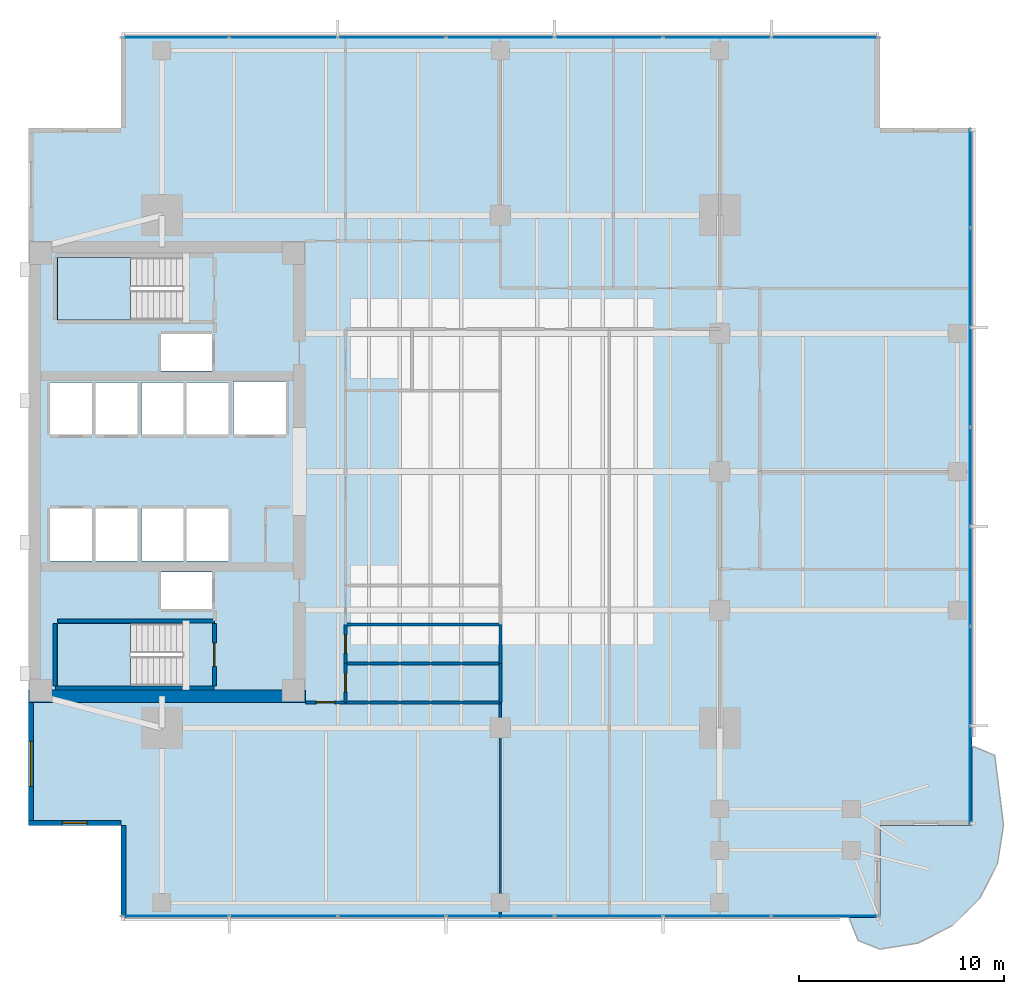
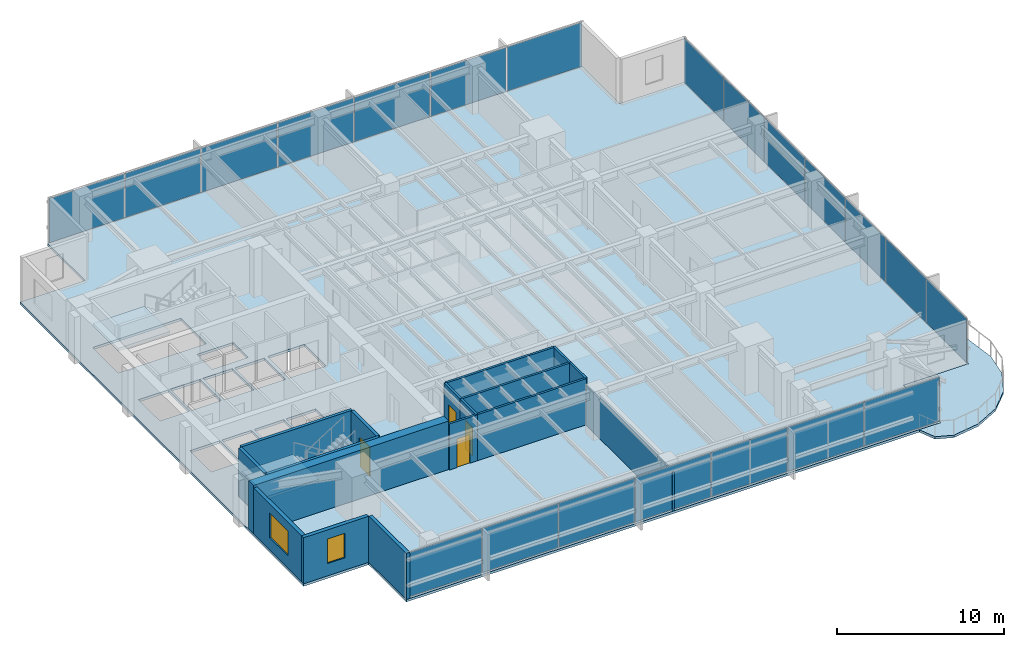
# One storey, part 7 of 14: 21 plates, 17 walls, 4 doors, 4 slabs, 2 windows, 6 openings, 5 elements without a shape of their own.
"""IFC4 building model written with IfcOpenShell, lengths in metres."""

from ifc_helpers import new_model, si_unit, direction, frame, frame_2d, origin, origin_2d, place, context, subcontext, project, spatial, polyline, rectangle, outline, extrude, material, layer, layer_set, type_object, element, fill, aggregate, save


model = new_model("IFC4")

# Units and contexts
model_context = context("Model", 3, precision=1e-05, world=origin(), true_north=direction((0.0, 1.0)))
body_context = subcontext(model_context, "Body", "Model", "MODEL_VIEW")
ifc_project = project(units=[si_unit("LENGTHUNIT", "METRE"), si_unit("AREAUNIT", "SQUARE_METRE"), si_unit("VOLUMEUNIT", "CUBIC_METRE"), si_unit("PLANEANGLEUNIT", "RADIAN"), si_unit("MASSUNIT", "GRAM", prefix="KILO")], contexts=[model_context])

# Site, building, storey
site_placement = place(None, origin())
site = spatial("IfcSite", under=ifc_project, at=site_placement, CompositionType="ELEMENT")
building_placement = place(site_placement, origin())
building = spatial("IfcBuilding", under=site, at=building_placement, Name="Kinhvarn Gate Tower", CompositionType="ELEMENT")
storey_placement = place(building_placement, frame((0.0, 0.0, 123.550048828125)))
storey = spatial("IfcBuildingStorey", under=building, at=storey_placement, Name="L32", CompositionType="ELEMENT", Elevation=123.550048828125)

# Curtain wall, plates
ifc_material_1 = material(Name="Anodised aluminium AW-6063", Category="aluminium")
ifc_layer_1 = layer(ifc_material_1, 0.179931640625)
ifc_layer_set_1 = layer_set([ifc_layer_1], Name="Anodised aluminium AW-6063")
curtain_wall_type = type_object("IfcCurtainWallType", Name="CW-SYS-3", PredefinedType="NOTDEFINED", material=ifc_layer_set_1)
curtain_wall_1_placement = place(storey_placement, origin())
curtain_wall_1 = element("IfcCurtainWall", 1, at=curtain_wall_1_placement, inside=storey, type_object=curtain_wall_type, Name="Curtain Wall CW3 (L32)", PredefinedType="NOTDEFINED")
ifc_material_2 = material(Name="Clear low-e double glazing", Category="glass")
ifc_layer_2 = layer(ifc_material_2, 0.031982421875)
ifc_layer_set_2 = layer_set([ifc_layer_2], Name="Clear low-e double glazing")
plate_type = type_object("IfcPlateType", Name="CW-PNL-VIS", PredefinedType="CURTAIN_PANEL", material=ifc_layer_set_2)
plate_1_placement = place(storey_placement, frame((11.6591796875, 3.590087890625, 0.070068359375), z_axis=(0.0, 0.0, 1.0), x_axis=(1.0, 0.0, 0.0)))
plate_1 = element("IfcPlate", 2, at=plate_1_placement, type_object=plate_type, Name="CW3 panel 1.1", PredefinedType="CURTAIN_PANEL", context=body_context, shape_type="SweptSolid", body=[
    extrude(rectangle(XDim=5.188232421875, YDim=0.031982421875, at=origin_2d()), origin(), (0.0, 0.0, 1.0), 3.22998046875),
])
plate_2_placement = place(storey_placement, frame((16.928466796875, 3.590087890625, 0.070068359375), z_axis=(0.0, 0.0, 1.0), x_axis=(1.0, 0.0, 0.0)))
plate_2 = element("IfcPlate", 3, at=plate_2_placement, type_object=plate_type, Name="CW3 panel 2.1", PredefinedType="CURTAIN_PANEL", context=body_context, shape_type="SweptSolid", body=[
    extrude(rectangle(XDim=5.220703125, YDim=0.031982421875, at=origin_2d()), origin(), (0.0, 0.0, 1.0), 3.22998046875),
])
plate_3_placement = place(storey_placement, frame((22.21435546875, 3.590087890625, 0.070068359375), z_axis=(0.0, 0.0, 1.0), x_axis=(1.0, 0.0, 0.0)))
plate_3 = element("IfcPlate", 4, at=plate_3_placement, type_object=plate_type, Name="CW3 panel 3.1", PredefinedType="CURTAIN_PANEL", context=body_context, shape_type="SweptSolid", body=[
    extrude(rectangle(XDim=5.220703125, YDim=0.031982421875, at=origin_2d()), origin(), (0.0, 0.0, 1.0), 3.22998046875),
])
plate_4_placement = place(storey_placement, frame((27.5, 3.590087890625, 0.070068359375), z_axis=(0.0, 0.0, 1.0), x_axis=(1.0, 0.0, 0.0)))
plate_4 = element("IfcPlate", 5, at=plate_4_placement, type_object=plate_type, Name="CW3 panel 4.1", PredefinedType="CURTAIN_PANEL", context=body_context, shape_type="SweptSolid", body=[
    extrude(rectangle(XDim=5.220703125, YDim=0.031982421875, at=origin_2d()), origin(), (0.0, 0.0, 1.0), 3.22998046875),
])
plate_5_placement = place(storey_placement, frame((32.78564453125, 3.590087890625, 0.070068359375), z_axis=(0.0, 0.0, 1.0), x_axis=(1.0, 0.0, 0.0)))
plate_5 = element("IfcPlate", 6, at=plate_5_placement, type_object=plate_type, Name="CW3 panel 5.1", PredefinedType="CURTAIN_PANEL", context=body_context, shape_type="SweptSolid", body=[
    extrude(rectangle(XDim=5.220703125, YDim=0.031982421875, at=origin_2d()), origin(), (0.0, 0.0, 1.0), 3.22998046875),
])
plate_6_placement = place(storey_placement, frame((38.071533203125, 3.590087890625, 0.070068359375), z_axis=(0.0, 0.0, 1.0), x_axis=(1.0, 0.0, 0.0)))
plate_6 = element("IfcPlate", 7, at=plate_6_placement, type_object=plate_type, Name="CW3 panel 6.1", PredefinedType="CURTAIN_PANEL", context=body_context, shape_type="SweptSolid", body=[
    extrude(rectangle(XDim=5.220703125, YDim=0.031982421875, at=origin_2d()), origin(), (0.0, 0.0, 1.0), 3.22998046875),
])
plate_7_placement = place(storey_placement, frame((43.3408203125, 3.590087890625, 0.070068359375), z_axis=(0.0, 0.0, 1.0), x_axis=(1.0, 0.0, 0.0)))
plate_7 = element("IfcPlate", 8, at=plate_7_placement, type_object=plate_type, Name="CW3 panel 7.1", PredefinedType="CURTAIN_PANEL", context=body_context, shape_type="SweptSolid", body=[
    extrude(rectangle(XDim=5.188232421875, YDim=0.031982421875, at=origin_2d()), origin(), (0.0, 0.0, 1.0), 3.22998046875),
])
aggregate(curtain_wall_1, [plate_1, plate_2, plate_3, plate_4, plate_5, plate_6, plate_7])

curtain_wall_2_placement = place(storey_placement, origin())
curtain_wall_2 = element("IfcCurtainWall", 9, at=curtain_wall_2_placement, inside=storey, type_object=curtain_wall_type, Name="Curtain Wall CW3 (L32)", PredefinedType="NOTDEFINED")
plate_8_placement = place(storey_placement, frame((43.3408203125, 46.409912109375, 0.070068359375), z_axis=(0.0, 0.0, 1.0), x_axis=(-1.0, 0.0, 0.0)))
plate_8 = element("IfcPlate", 10, at=plate_8_placement, type_object=plate_type, Name="CW3 panel 1.1", PredefinedType="CURTAIN_PANEL", context=body_context, shape_type="SweptSolid", body=[
    extrude(rectangle(XDim=5.188232421875, YDim=0.031982421875, at=origin_2d()), origin(), (0.0, 0.0, 1.0), 3.22998046875),
])
plate_9_placement = place(storey_placement, frame((38.071533203125, 46.409912109375, 0.070068359375), z_axis=(0.0, 0.0, 1.0), x_axis=(-1.0, 0.0, 0.0)))
plate_9 = element("IfcPlate", 11, at=plate_9_placement, type_object=plate_type, Name="CW3 panel 2.1", PredefinedType="CURTAIN_PANEL", context=body_context, shape_type="SweptSolid", body=[
    extrude(rectangle(XDim=5.220703125, YDim=0.031982421875, at=origin_2d()), origin(), (0.0, 0.0, 1.0), 3.22998046875),
])
plate_10_placement = place(storey_placement, frame((32.78564453125, 46.409912109375, 0.070068359375), z_axis=(0.0, 0.0, 1.0), x_axis=(-1.0, 0.0, 0.0)))
plate_10 = element("IfcPlate", 12, at=plate_10_placement, type_object=plate_type, Name="CW3 panel 3.1", PredefinedType="CURTAIN_PANEL", context=body_context, shape_type="SweptSolid", body=[
    extrude(rectangle(XDim=5.220703125, YDim=0.031982421875, at=origin_2d()), origin(), (0.0, 0.0, 1.0), 3.22998046875),
])
plate_11_placement = place(storey_placement, frame((27.5, 46.409912109375, 0.070068359375), z_axis=(0.0, 0.0, 1.0), x_axis=(-1.0, 0.0, 0.0)))
plate_11 = element("IfcPlate", 13, at=plate_11_placement, type_object=plate_type, Name="CW3 panel 4.1", PredefinedType="CURTAIN_PANEL", context=body_context, shape_type="SweptSolid", body=[
    extrude(rectangle(XDim=5.220703125, YDim=0.031982421875, at=origin_2d()), origin(), (0.0, 0.0, 1.0), 3.22998046875),
])
plate_12_placement = place(storey_placement, frame((22.21435546875, 46.409912109375, 0.070068359375), z_axis=(0.0, 0.0, 1.0), x_axis=(-1.0, 0.0, 0.0)))
plate_12 = element("IfcPlate", 14, at=plate_12_placement, type_object=plate_type, Name="CW3 panel 5.1", PredefinedType="CURTAIN_PANEL", context=body_context, shape_type="SweptSolid", body=[
    extrude(rectangle(XDim=5.220703125, YDim=0.031982421875, at=origin_2d()), origin(), (0.0, 0.0, 1.0), 3.22998046875),
])
plate_13_placement = place(storey_placement, frame((16.928466796875, 46.409912109375, 0.070068359375), z_axis=(0.0, 0.0, 1.0), x_axis=(-1.0, 0.0, 0.0)))
plate_13 = element("IfcPlate", 15, at=plate_13_placement, type_object=plate_type, Name="CW3 panel 6.1", PredefinedType="CURTAIN_PANEL", context=body_context, shape_type="SweptSolid", body=[
    extrude(rectangle(XDim=5.220703125, YDim=0.031982421875, at=origin_2d()), origin(), (0.0, 0.0, 1.0), 3.22998046875),
])
plate_14_placement = place(storey_placement, frame((11.6591796875, 46.409912109375, 0.070068359375), z_axis=(0.0, 0.0, 1.0), x_axis=(-1.0, 0.0, 0.0)))
plate_14 = element("IfcPlate", 16, at=plate_14_placement, type_object=plate_type, Name="CW3 panel 7.1", PredefinedType="CURTAIN_PANEL", context=body_context, shape_type="SweptSolid", body=[
    extrude(rectangle(XDim=5.188232421875, YDim=0.031982421875, at=origin_2d()), origin(), (0.0, 0.0, 1.0), 3.22998046875),
])
aggregate(curtain_wall_2, [plate_8, plate_9, plate_10, plate_11, plate_12, plate_13, plate_14])

curtain_wall_3_placement = place(storey_placement, origin())
curtain_wall_3 = element("IfcCurtainWall", 17, at=curtain_wall_3_placement, inside=storey, type_object=curtain_wall_type, Name="Curtain Wall CW3 (L32)", PredefinedType="NOTDEFINED")
plate_15_placement = place(storey_placement, frame((50.409912109375, 10.44482421875, 0.070068359375), z_axis=(0.0, 0.0, 1.0), x_axis=(0.0, 1.0, 0.0)))
plate_15 = element("IfcPlate", 18, at=plate_15_placement, type_object=plate_type, Name="CW3 panel 1.1", PredefinedType="CURTAIN_PANEL", context=body_context, shape_type="SweptSolid", body=[
    extrude(rectangle(XDim=4.759521484375, YDim=0.031982421875, at=origin_2d()), origin(), (0.0, 0.0, 1.0), 3.22998046875),
])
plate_16_placement = place(storey_placement, frame((50.409912109375, 15.28564453125, 0.070068359375), z_axis=(0.0, 0.0, 1.0), x_axis=(0.0, 1.0, 0.0)))
plate_16 = element("IfcPlate", 19, at=plate_16_placement, type_object=plate_type, Name="CW3 panel 2.1", PredefinedType="CURTAIN_PANEL", context=body_context, shape_type="SweptSolid", body=[
    extrude(rectangle(XDim=4.792236328125, YDim=0.031982421875, at=origin_2d()), origin(), (0.0, 0.0, 1.0), 3.22998046875),
])
plate_17_placement = place(storey_placement, frame((50.409912109375, 20.142822265625, 0.070068359375), z_axis=(0.0, 0.0, 1.0), x_axis=(0.0, 1.0, 0.0)))
plate_17 = element("IfcPlate", 20, at=plate_17_placement, type_object=plate_type, Name="CW3 panel 3.1", PredefinedType="CURTAIN_PANEL", context=body_context, shape_type="SweptSolid", body=[
    extrude(rectangle(XDim=4.792236328125, YDim=0.031982421875, at=origin_2d()), origin(), (0.0, 0.0, 1.0), 3.22998046875),
])
plate_18_placement = place(storey_placement, frame((50.409912109375, 25.0, 0.070068359375), z_axis=(0.0, 0.0, 1.0), x_axis=(0.0, 1.0, 0.0)))
plate_18 = element("IfcPlate", 21, at=plate_18_placement, type_object=plate_type, Name="CW3 panel 4.1", PredefinedType="CURTAIN_PANEL", context=body_context, shape_type="SweptSolid", body=[
    extrude(rectangle(XDim=4.792236328125, YDim=0.031982421875, at=origin_2d()), origin(), (0.0, 0.0, 1.0), 3.22998046875),
])
plate_19_placement = place(storey_placement, frame((50.409912109375, 29.857177734375, 0.070068359375), z_axis=(0.0, 0.0, 1.0), x_axis=(0.0, 1.0, 0.0)))
plate_19 = element("IfcPlate", 22, at=plate_19_placement, type_object=plate_type, Name="CW3 panel 5.1", PredefinedType="CURTAIN_PANEL", context=body_context, shape_type="SweptSolid", body=[
    extrude(rectangle(XDim=4.792236328125, YDim=0.031982421875, at=origin_2d()), origin(), (0.0, 0.0, 1.0), 3.22998046875),
])
plate_20_placement = place(storey_placement, frame((50.409912109375, 34.71435546875, 0.070068359375), z_axis=(0.0, 0.0, 1.0), x_axis=(0.0, 1.0, 0.0)))
plate_20 = element("IfcPlate", 23, at=plate_20_placement, type_object=plate_type, Name="CW3 panel 6.1", PredefinedType="CURTAIN_PANEL", context=body_context, shape_type="SweptSolid", body=[
    extrude(rectangle(XDim=4.792236328125, YDim=0.031982421875, at=origin_2d()), origin(), (0.0, 0.0, 1.0), 3.22998046875),
])
plate_21_placement = place(storey_placement, frame((50.409912109375, 39.55517578125, 0.070068359375), z_axis=(0.0, 0.0, 1.0), x_axis=(0.0, 1.0, 0.0)))
plate_21 = element("IfcPlate", 24, at=plate_21_placement, type_object=plate_type, Name="CW3 panel 7.1", PredefinedType="CURTAIN_PANEL", context=body_context, shape_type="SweptSolid", body=[
    extrude(rectangle(XDim=4.759521484375, YDim=0.031982421875, at=origin_2d()), origin(), (0.0, 0.0, 1.0), 3.22998046875),
])
aggregate(curtain_wall_3, [plate_15, plate_16, plate_17, plate_18, plate_19, plate_20, plate_21])

# Slabs
ifc_material_3 = material(Name="Precast white architectural concrete C40/50", Category="concrete")
ifc_layer_3 = layer(ifc_material_3, 0.179931640625)
ifc_layer_set_3 = layer_set([ifc_layer_3], Name="Precast white architectural concrete C40/50")
slab_type_1 = type_object("IfcSlabType", Name="SLB-BAL-180", PredefinedType="FLOOR", material=ifc_layer_set_3)
slab_1_placement = place(storey_placement, frame((0.0, 0.0, -0.179931640625)))
element("IfcSlab", 25, at=slab_1_placement, inside=storey, type_object=slab_type_1, Name="S-Carve Curved Terrace Balcony Slab L32 (SE)", PredefinedType="FLOOR", context=body_context, shape_type="SweptSolid", body=[
    extrude(outline(polyline([(44.4951171875, 3.5), (44.945068359375, 2.3955078125), (46.0, 1.966064453125), (47.864501953125, 2.26123046875), (49.546630859375, 3.118408203125), (50.881591796875, 4.453369140625), (51.73876953125, 6.135498046875), (52.033935546875, 8.0), (51.6044921875, 11.419921875), (50.5, 11.8701171875), (50.5, 8.0), (46.0, 8.0), (46.0, 3.5), (44.4951171875, 3.5)])), origin(), (0.0, 0.0, 1.0), 0.179931640625),
])
ifc_material_4 = material(Name="Concrete C40/50", Category="concrete")
ifc_layer_4 = layer(ifc_material_4, 0.179931640625)
ifc_layer_set_4 = layer_set([ifc_layer_4], Name="Concrete C40/50")
slab_type_2 = type_object("IfcSlabType", Name="SLB-FLR-180", PredefinedType="FLOOR", material=ifc_layer_set_4)
slab_2_placement = place(storey_placement, frame((0.0, 0.0, -0.179931640625)))
element("IfcSlab", 26, at=slab_2_placement, inside=storey, type_object=slab_type_2, Name="Suspended Floor Slab L32", PredefinedType="FLOOR", context=body_context, shape_type="SweptSolid", body=[
    extrude(outline(polyline([(9.0, 3.5), (46.0, 3.5), (46.0, 8.0), (50.5, 8.0), (50.5, 42.0), (46.0, 42.0), (46.0, 46.5), (9.0, 46.5), (9.0, 42.0), (4.5, 42.0), (4.5, 8.0), (9.0, 8.0), (9.0, 3.5)]), holes=[polyline([(5.89990234375, 14.800048828125), (12.0, 14.800048828125), (12.0, 17.85009765625), (5.89990234375, 17.85009765625), (5.89990234375, 14.800048828125)]), polyline([(5.89990234375, 32.64990234375), (12.0, 32.64990234375), (12.0, 35.699951171875), (5.89990234375, 35.699951171875), (5.89990234375, 32.64990234375)]), polyline([(5.550048828125, 20.89990234375), (7.60009765625, 20.89990234375), (7.60009765625, 23.449951171875), (5.550048828125, 23.449951171875), (5.550048828125, 20.89990234375)]), polyline([(7.75, 20.89990234375), (9.800048828125, 20.89990234375), (9.800048828125, 23.449951171875), (7.75, 23.449951171875), (7.75, 20.89990234375)]), polyline([(5.550048828125, 27.050048828125), (7.60009765625, 27.050048828125), (7.60009765625, 29.60009765625), (5.550048828125, 29.60009765625), (5.550048828125, 27.050048828125)]), polyline([(7.75, 27.050048828125), (9.800048828125, 27.050048828125), (9.800048828125, 29.60009765625), (7.75, 29.60009765625), (7.75, 27.050048828125)]), polyline([(10.0, 20.89990234375), (12.050048828125, 20.89990234375), (12.050048828125, 23.449951171875), (10.0, 23.449951171875), (10.0, 20.89990234375)]), polyline([(12.199951171875, 20.89990234375), (14.25, 20.89990234375), (14.25, 23.449951171875), (12.199951171875, 23.449951171875), (12.199951171875, 20.89990234375)]), polyline([(10.0, 27.050048828125), (12.050048828125, 27.050048828125), (12.050048828125, 29.60009765625), (10.0, 29.60009765625), (10.0, 27.050048828125)]), polyline([(12.199951171875, 27.050048828125), (14.25, 27.050048828125), (14.25, 29.60009765625), (12.199951171875, 29.60009765625), (12.199951171875, 27.050048828125)]), polyline([(14.5, 27.050048828125), (17.050048828125, 27.050048828125), (17.050048828125, 29.64990234375), (14.5, 29.64990234375), (14.5, 27.050048828125)]), polyline([(10.949951171875, 18.550048828125), (13.449951171875, 18.550048828125), (13.449951171875, 20.35009765625), (10.949951171875, 20.35009765625), (10.949951171875, 18.550048828125)]), polyline([(10.949951171875, 30.14990234375), (13.449951171875, 30.14990234375), (13.449951171875, 31.949951171875), (10.949951171875, 31.949951171875), (10.949951171875, 30.14990234375)])]), origin(), (0.0, 0.0, 1.0), 0.179931640625),
])

# Stair, slab
stair_type = type_object("IfcStairType", Name="STR-DLG-177", PredefinedType="HALF_TURN_STAIR", material=ifc_material_4)
stair_1_placement = place(storey_placement, origin())
stair_1 = element("IfcStair", 27, at=stair_1_placement, inside=storey, type_object=stair_type, Name="L32 Core Smokeproof Exit Stair ST1", PredefinedType="HALF_TURN_STAIR")
ifc_layer_5 = layer(ifc_material_4, 0.199951171875)
ifc_layer_set_5 = layer_set([ifc_layer_5], Name="Concrete C40/50")
slab_type_3 = type_object("IfcSlabType", Name="SLB-ST-LND", PredefinedType="LANDING", material=ifc_layer_set_5)
slab_3_placement = place(storey_placement, frame((0.0, 0.0, 1.574951171875)))
slab_3 = element("IfcSlab", 28, at=slab_3_placement, type_object=slab_type_3, Name="ST1 landing 1", PredefinedType="LANDING", context=body_context, shape_type="SweptSolid", body=[
    extrude(outline(polyline([(9.47998046875, 17.85009765625), (5.89990234375, 17.85009765625), (5.89990234375, 14.800048828125), (9.47998046875, 14.800048828125), (9.47998046875, 17.85009765625)])), origin(), (0.0, 0.0, 1.0), 0.199951171875),
])
aggregate(stair_1, [slab_3])

stair_2_placement = place(storey_placement, origin())
stair_2 = element("IfcStair", 29, at=stair_2_placement, inside=storey, type_object=stair_type, Name="L32 Core Smokeproof Exit Stair ST2", PredefinedType="HALF_TURN_STAIR")
slab_4_placement = place(storey_placement, frame((0.0, 0.0, 1.574951171875)))
slab_4 = element("IfcSlab", 30, at=slab_4_placement, type_object=slab_type_3, Name="ST2 landing 1", PredefinedType="LANDING", context=body_context, shape_type="SweptSolid", body=[
    extrude(outline(polyline([(9.47998046875, 35.699951171875), (5.89990234375, 35.699951171875), (5.89990234375, 32.64990234375), (9.47998046875, 32.64990234375), (9.47998046875, 35.699951171875)])), origin(), (0.0, 0.0, 1.0), 0.199951171875),
])
aggregate(stair_2, [slab_4])

# Wall
ifc_material_5 = material(Name="Concrete C60/75", Category="concrete")
ifc_layer_6 = layer(ifc_material_5, 0.60009765625)
ifc_layer_set_6 = layer_set([ifc_layer_6], Name="Concrete C60/75")
wall_type_1 = type_object("IfcWallType", Name="WL-CORE-600", PredefinedType="SHEAR", material=ifc_layer_set_6)
wall_1_placement = place(storey_placement, frame((4.5, 14.300048828125, 0.0), z_axis=(0.0, 0.0, 1.0), x_axis=(1.0, 0.0, 0.0)))
element("IfcWall", 31, at=wall_1_placement, inside=storey, type_object=wall_type_1, Name="Core South Shear Wall L32 600 mm", PredefinedType="SHEAR", context=body_context, shape_type="SweptSolid", body=[
    extrude(rectangle(XDim=13.5, YDim=0.60009765625, at=frame_2d((6.75, 0.0))), origin(), (0.0, 0.0, 1.0), 3.550048828125),
])

# Wall, opening, window
ifc_material_6 = material(Name="Fired architectural terracotta", Category="masonry")
ifc_layer_7 = layer(ifc_material_6, 0.25)
ifc_layer_set_7 = layer_set([ifc_layer_7], Name="Fired architectural terracotta")
wall_type_2 = type_object("IfcWallType", Name="WL-EXT-250", PredefinedType="SOLIDWALL", material=ifc_layer_set_7)
wall_2_placement = place(storey_placement, frame((4.625, 14.0, 0.0), z_axis=(0.0, 0.0, 1.0), x_axis=(0.0, -1.0, 0.0)))
wall_2 = element("IfcWall", 32, at=wall_2_placement, inside=storey, type_object=wall_type_2, Name="Exterior Solidwall Wall EW-250 (L32 West-South)", PredefinedType="SOLIDWALL", context=body_context, shape_type="SweptSolid", body=[
    extrude(rectangle(XDim=6.0, YDim=0.25, at=frame_2d((3.0, 0.0))), origin(), (0.0, 0.0, 1.0), 3.369873046875),
])
opening_1_placement = place(wall_2_placement, frame((1.89990234375, 0.0, 0.89990234375)))
opening_1 = element("IfcOpeningElement", 33, at=opening_1_placement, cuts=wall_2, Name="Opening WN-01", PredefinedType="OPENING", context=body_context, shape_type="SweptSolid", body=[
    extrude(rectangle(XDim=2.199951171875, YDim=1.800048828125, at=frame_2d((1.10009765625, 0.89990234375))), frame((0.0, 0.135009765625, 0.0), z_axis=(0.0, -1.0, 0.0), x_axis=(1.0, 0.0, 0.0)), (0.0, 0.0, 1.0), 0.27001953125),
])
window_type_1 = type_object("IfcWindowType", Name="WIN-RIB-2200", PartitioningType="SINGLE_PANEL", PredefinedType="WINDOW", material=ifc_material_2)
window_1_placement = place(opening_1_placement, origin())
window_1 = element("IfcWindow", 34, at=window_1_placement, inside=storey, type_object=window_type_1, Name="West Flank Double-Glazed Ribbon Window 2200x1800 mm (L32)", OverallHeight=1.800048828125, OverallWidth=2.199951171875, PartitioningType="SINGLE_PANEL", PredefinedType="WINDOW", context=body_context, shape_type="SweptSolid", body=[
    extrude(rectangle(XDim=2.199951171875, YDim=1.800048828125, at=frame_2d((1.10009765625, 0.89990234375))), frame((0.0, 0.030029296875, 0.0), z_axis=(0.0, -1.0, 0.0), x_axis=(1.0, 0.0, 0.0)), (0.0, 0.0, 1.0), 0.06005859375),
])
fill(opening_1, window_1)

wall_3_placement = place(storey_placement, frame((4.5, 8.125, 0.0), z_axis=(0.0, 0.0, 1.0), x_axis=(1.0, 0.0, 0.0)))
wall_3 = element("IfcWall", 35, at=wall_3_placement, inside=storey, type_object=wall_type_2, Name="Exterior Solidwall Wall EW-250 (L32 SW-Notch-1)", PredefinedType="SOLIDWALL", context=body_context, shape_type="SweptSolid", body=[
    extrude(rectangle(XDim=4.5, YDim=0.25, at=frame_2d((2.25, 0.0))), origin(), (0.0, 0.0, 1.0), 3.369873046875),
])
opening_2_placement = place(wall_3_placement, frame((1.64990234375, 0.0, 0.89990234375)))
opening_2 = element("IfcOpeningElement", 36, at=opening_2_placement, cuts=wall_3, Name="Opening WN-02", PredefinedType="OPENING", context=body_context, shape_type="SweptSolid", body=[
    extrude(rectangle(XDim=1.199951171875, YDim=1.800048828125, at=frame_2d((0.60009765625, 0.89990234375))), frame((0.0, 0.135009765625, 0.0), z_axis=(0.0, -1.0, 0.0), x_axis=(1.0, 0.0, 0.0)), (0.0, 0.0, 1.0), 0.27001953125),
])
window_type_2 = type_object("IfcWindowType", Name="WIN-NTC-1200", PartitioningType="SINGLE_PANEL", PredefinedType="WINDOW", material=ifc_material_2)
window_2_placement = place(opening_2_placement, origin())
window_2 = element("IfcWindow", 37, at=window_2_placement, inside=storey, type_object=window_type_2, Name="Recessed Corner Notch Punched Window 1200x1800 mm (L32)", OverallHeight=1.800048828125, OverallWidth=1.199951171875, PartitioningType="SINGLE_PANEL", PredefinedType="WINDOW", context=body_context, shape_type="SweptSolid", body=[
    extrude(rectangle(XDim=1.199951171875, YDim=1.800048828125, at=frame_2d((0.60009765625, 0.89990234375))), frame((0.0, 0.030029296875, 0.0), z_axis=(0.0, -1.0, 0.0), x_axis=(1.0, 0.0, 0.0)), (0.0, 0.0, 1.0), 0.06005859375),
])
fill(opening_2, window_2)

# Walls
wall_4_placement = place(storey_placement, frame((9.125, 8.0, 0.0), z_axis=(0.0, 0.0, 1.0), x_axis=(0.0, -1.0, 0.0)))
element("IfcWall", 38, at=wall_4_placement, inside=storey, type_object=wall_type_2, Name="Exterior Solidwall Wall EW-250 (L32 SW-Notch-2)", PredefinedType="SOLIDWALL", context=body_context, shape_type="SweptSolid", body=[
    extrude(rectangle(XDim=4.5, YDim=0.25, at=frame_2d((2.25, 0.0))), origin(), (0.0, 0.0, 1.0), 3.369873046875),
])
ifc_material_7 = material(Name="Gypsum acoustic partition board")
ifc_layer_8 = layer(ifc_material_7, 0.14990234375)
ifc_layer_set_8 = layer_set([ifc_layer_8], Name="Gypsum acoustic partition board")
wall_type_3 = type_object("IfcWallType", Name="WL-PLM-150", PredefinedType="PLUMBINGWALL", material=ifc_layer_set_8)
for number, where, z_axis, x_axis, name in (
    (39, (19.949951171875, 15.89990234375, 0.0), (0.0, 0.0, 1.0), (1.0, 0.0, 0.0), "Interior Partition PLW-150 (L32)"),
    (40, (19.949951171875, 14.0, 0.0), (0.0, 0.0, 1.0), (1.0, 0.0, 0.0), "Interior Partition PLW-150 (L32)"),
):
    element("IfcWall", number, at=place(storey_placement, frame(where, z_axis=z_axis, x_axis=x_axis)), inside=storey, type_object=wall_type_3, Name=name, PredefinedType="PLUMBINGWALL", context=body_context, shape_type="SweptSolid", body=[
        extrude(rectangle(XDim=7.550048828125, YDim=0.14990234375, at=frame_2d((3.77490234375, 0.0))), origin(), (0.0, 0.0, 1.0), 3.369873046875),
    ])
wall_5_placement = place(storey_placement, frame((27.5, 14.0, 0.0), z_axis=(0.0, 0.0, 1.0), x_axis=(0.0, 1.0, 0.0)))
element("IfcWall", 41, at=wall_5_placement, inside=storey, type_object=wall_type_3, Name="Interior Partition PLW-150 (L32)", PredefinedType="PLUMBINGWALL", context=body_context, shape_type="SweptSolid", body=[
    extrude(rectangle(XDim=1.89990234375, YDim=0.14990234375, at=frame_2d((0.949951171875, 0.0))), origin(), (0.0, 0.0, 1.0), 3.369873046875),
])
wall_6_placement = place(storey_placement, frame((19.949951171875, 17.800048828125, 0.0), z_axis=(0.0, 0.0, 1.0), x_axis=(1.0, 0.0, 0.0)))
element("IfcWall", 42, at=wall_6_placement, inside=storey, type_object=wall_type_3, Name="Interior Partition PLW-150 (L32)", PredefinedType="PLUMBINGWALL", context=body_context, shape_type="SweptSolid", body=[
    extrude(rectangle(XDim=7.550048828125, YDim=0.14990234375, at=frame_2d((3.77490234375, 0.0))), origin(), (0.0, 0.0, 1.0), 3.369873046875),
])
wall_7_placement = place(storey_placement, frame((27.5, 15.89990234375, 0.0), z_axis=(0.0, 0.0, 1.0), x_axis=(0.0, 1.0, 0.0)))
element("IfcWall", 43, at=wall_7_placement, inside=storey, type_object=wall_type_3, Name="Interior Partition PLW-150 (L32)", PredefinedType="PLUMBINGWALL", context=body_context, shape_type="SweptSolid", body=[
    extrude(rectangle(XDim=1.900146484375, YDim=0.14990234375, at=frame_2d((0.9501953125, 0.0))), origin(), (0.0, 0.0, 1.0), 3.369873046875),
])

# Wall, opening, door
ifc_layer_9 = layer(ifc_material_7, 0.14990234375)
ifc_layer_set_9 = layer_set([ifc_layer_9], Name="Gypsum acoustic partition board")
wall_type_4 = type_object("IfcWallType", Name="WL-PLM-150F", PredefinedType="PLUMBINGWALL", material=ifc_layer_set_9)
wall_8_placement = place(storey_placement, frame((19.949951171875, 14.0, 0.0), z_axis=(0.0, 0.0, 1.0), x_axis=(0.0, 1.0, 0.0)))
wall_8 = element("IfcWall", 44, at=wall_8_placement, inside=storey, type_object=wall_type_4, Name="Interior Partition PLW-150F (L32)", PredefinedType="PLUMBINGWALL", context=body_context, shape_type="SweptSolid", body=[
    extrude(rectangle(XDim=1.89990234375, YDim=0.14990234375, at=frame_2d((0.949951171875, 0.0))), origin(), (0.0, 0.0, 1.0), 3.369873046875),
])
opening_3_placement = place(wall_8_placement, frame((0.5, 0.0, 0.0)))
opening_3 = element("IfcOpeningElement", 45, at=opening_3_placement, cuts=wall_8, Name="Opening FD-04", PredefinedType="OPENING", context=body_context, shape_type="SweptSolid", body=[
    extrude(rectangle(XDim=0.89990234375, YDim=2.10009765625, at=frame_2d((0.449951171875, 1.050048828125))), frame((0.0, 0.0849609375, 0.0), z_axis=(0.0, -1.0, 0.0), x_axis=(1.0, 0.0, 0.0)), (0.0, 0.0, 1.0), 0.169921875),
])
door_type_1 = type_object("IfcDoorType", Name="DR-FD-900", OperationType="NOTDEFINED", PredefinedType="DOOR", material=ifc_material_1)
door_1_placement = place(opening_3_placement, origin())
door_1 = element("IfcDoor", 46, at=door_1_placement, inside=storey, type_object=door_type_1, Name="Rated Riser & Service Closet Fire Door 900x2100 mm (L32)", OperationType="SINGLE_SWING_RIGHT", OverallHeight=2.10009765625, OverallWidth=0.89990234375, PredefinedType="DOOR", context=body_context, shape_type="SweptSolid", body=[
    extrude(rectangle(XDim=0.89990234375, YDim=2.10009765625, at=frame_2d((0.449951171875, 1.050048828125))), frame((0.0, 0.02490234375, 0.0), z_axis=(0.0, -1.0, 0.0), x_axis=(1.0, 0.0, 0.0)), (0.0, 0.0, 1.0), 0.050048828125),
])
fill(opening_3, door_1)

wall_9_placement = place(storey_placement, frame((19.949951171875, 15.89990234375, 0.0), z_axis=(0.0, 0.0, 1.0), x_axis=(0.0, 1.0, 0.0)))
wall_9 = element("IfcWall", 47, at=wall_9_placement, inside=storey, type_object=wall_type_4, Name="Interior Partition PLW-150F (L32)", PredefinedType="PLUMBINGWALL", context=body_context, shape_type="SweptSolid", body=[
    extrude(rectangle(XDim=1.900146484375, YDim=0.14990234375, at=frame_2d((0.9501953125, 0.0))), origin(), (0.0, 0.0, 1.0), 3.369873046875),
])
opening_4_placement = place(wall_9_placement, frame((0.5, 0.0, 0.0)))
opening_4 = element("IfcOpeningElement", 48, at=opening_4_placement, cuts=wall_9, Name="Opening FD-04", PredefinedType="OPENING", context=body_context, shape_type="SweptSolid", body=[
    extrude(rectangle(XDim=0.89990234375, YDim=2.10009765625, at=frame_2d((0.449951171875, 1.050048828125))), frame((0.0, 0.0849609375, 0.0), z_axis=(0.0, -1.0, 0.0), x_axis=(1.0, 0.0, 0.0)), (0.0, 0.0, 1.0), 0.169921875),
])
door_2_placement = place(opening_4_placement, origin())
door_2 = element("IfcDoor", 49, at=door_2_placement, inside=storey, type_object=door_type_1, Name="Rated Riser & Service Closet Fire Door 900x2100 mm (L32)", OperationType="SINGLE_SWING_LEFT", OverallHeight=2.10009765625, OverallWidth=0.89990234375, PredefinedType="DOOR", context=body_context, shape_type="SweptSolid", body=[
    extrude(rectangle(XDim=0.89990234375, YDim=2.10009765625, at=frame_2d((0.449951171875, 1.050048828125))), frame((0.0, 0.02490234375, 0.0), z_axis=(0.0, -1.0, 0.0), x_axis=(1.0, 0.0, 0.0)), (0.0, 0.0, 1.0), 0.050048828125),
])
fill(opening_4, door_2)

# Wall
ifc_layer_10 = layer(ifc_material_7, 0.1201171875)
ifc_layer_set_10 = layer_set([ifc_layer_10], Name="Gypsum acoustic partition board")
wall_type_5 = type_object("IfcWallType", Name="WL-PRT-120", PredefinedType="PARTITIONING", material=ifc_layer_set_10)
wall_10_placement = place(storey_placement, frame((27.5, 3.510009765625, 0.0), z_axis=(0.0, 0.0, 1.0), x_axis=(0.0, 1.0, 0.0)))
element("IfcWall", 50, at=wall_10_placement, inside=storey, type_object=wall_type_5, Name="Interior Partition PW-120 (L32)", PredefinedType="PARTITIONING", context=body_context, shape_type="SweptSolid", body=[
    extrude(rectangle(XDim=10.489990234375, YDim=0.1201171875, at=frame_2d((5.2451171875, 0.0))), origin(), (0.0, 0.0, 1.0), 2.869873046875),
])

# Wall, opening, door
ifc_layer_11 = layer(ifc_material_7, 0.14990234375)
ifc_layer_set_11 = layer_set([ifc_layer_11], Name="Gypsum acoustic partition board")
wall_type_6 = type_object("IfcWallType", Name="WL-PRT-150F", PredefinedType="PARTITIONING", material=ifc_layer_set_11)
wall_11_placement = place(storey_placement, frame((18.0, 14.0, 0.0), z_axis=(0.0, 0.0, 1.0), x_axis=(1.0, 0.0, 0.0)))
wall_11 = element("IfcWall", 51, at=wall_11_placement, inside=storey, type_object=wall_type_6, Name="Interior Partition PW-150F (L32)", PredefinedType="PARTITIONING", context=body_context, shape_type="SweptSolid", body=[
    extrude(rectangle(XDim=1.949951171875, YDim=0.14990234375, at=frame_2d((0.97509765625, 0.0))), origin(), (0.0, 0.0, 1.0), 3.369873046875),
])
opening_5_placement = place(wall_11_placement, frame((0.52490234375, 0.0, 0.0)))
opening_5 = element("IfcOpeningElement", 52, at=opening_5_placement, cuts=wall_11, Name="Opening ID-03", PredefinedType="OPENING", context=body_context, shape_type="SweptSolid", body=[
    extrude(rectangle(XDim=0.89990234375, YDim=2.10009765625, at=frame_2d((0.449951171875, 1.050048828125))), frame((0.0, 0.0849609375, 0.0), z_axis=(0.0, -1.0, 0.0), x_axis=(1.0, 0.0, 0.0)), (0.0, 0.0, 1.0), 0.169921875),
])
door_type_2 = type_object("IfcDoorType", Name="DR-INT-900", OperationType="NOTDEFINED", PredefinedType="DOOR", material=ifc_material_1)
door_3_placement = place(opening_5_placement, origin())
door_3 = element("IfcDoor", 53, at=door_3_placement, inside=storey, type_object=door_type_2, Name="Cellular Office & Restroom Door 900x2100 mm (L32)", OperationType="SINGLE_SWING_LEFT", OverallHeight=2.10009765625, OverallWidth=0.89990234375, PredefinedType="DOOR", context=body_context, shape_type="SweptSolid", body=[
    extrude(rectangle(XDim=0.89990234375, YDim=2.10009765625, at=frame_2d((0.449951171875, 1.050048828125))), frame((0.0, 0.02490234375, 0.0), z_axis=(0.0, -1.0, 0.0), x_axis=(1.0, 0.0, 0.0)), (0.0, 0.0, 1.0), 0.050048828125),
])
fill(opening_5, door_3)

# Walls
ifc_layer_12 = layer(ifc_material_4, 0.199951171875)
ifc_layer_set_12 = layer_set([ifc_layer_12], Name="Concrete C40/50")
wall_type_7 = type_object("IfcWallType", Name="WL-SHF-200", PredefinedType="SOLIDWALL", material=ifc_layer_set_12)
wall_12_placement = place(storey_placement, frame((5.800048828125, 14.699951171875, 0.0), z_axis=(0.0, 0.0, 1.0), x_axis=(1.0, 0.0, 0.0)))
element("IfcWall", 54, at=wall_12_placement, inside=storey, type_object=wall_type_7, Name="Stair ST1 South Shaft Wall (L32)", PredefinedType="SOLIDWALL", context=body_context, shape_type="SweptSolid", body=[
    extrude(rectangle(XDim=7.75, YDim=0.199951171875, at=frame_2d((3.875, 0.0))), origin(), (0.0, 0.0, 1.0), 3.550048828125),
])
wall_13_placement = place(storey_placement, frame((5.7900390625, 14.800048828125, 0.0), z_axis=(0.0, 0.0, 1.0), x_axis=(0.0, 1.0, 0.0)))
element("IfcWall", 55, at=wall_13_placement, inside=storey, type_object=wall_type_7, Name="Stair ST1 West Shaft Wall (L32)", PredefinedType="SOLIDWALL", context=body_context, shape_type="SweptSolid", body=[
    extrude(rectangle(XDim=3.050048828125, YDim=0.199951171875, at=frame_2d((1.52490234375, 0.0))), origin(), (0.0, 0.0, 1.0), 3.550048828125),
])
wall_14_placement = place(storey_placement, frame((5.89990234375, 17.9599609375, 0.0), z_axis=(0.0, 0.0, 1.0), x_axis=(1.0, 0.0, 0.0)))
element("IfcWall", 56, at=wall_14_placement, inside=storey, type_object=wall_type_7, Name="Stair ST1 North Shaft Wall (L32)", PredefinedType="SOLIDWALL", context=body_context, shape_type="SweptSolid", body=[
    extrude(rectangle(XDim=7.66015625, YDim=0.199951171875, at=frame_2d((3.830078125, 0.0))), origin(), (0.0, 0.0, 1.0), 3.550048828125),
])

# Wall, opening, door
wall_15_placement = place(storey_placement, frame((13.56005859375, 14.800048828125, 0.0), z_axis=(0.0, 0.0, 1.0), x_axis=(0.0, 1.0, 0.0)))
wall_15 = element("IfcWall", 57, at=wall_15_placement, inside=storey, type_object=wall_type_7, Name="Stair ST1 East Entry Wall (L32)", PredefinedType="SOLIDWALL", context=body_context, shape_type="SweptSolid", body=[
    extrude(rectangle(XDim=3.050048828125, YDim=0.199951171875, at=frame_2d((1.52490234375, 0.0))), origin(), (0.0, 0.0, 1.0), 3.550048828125),
])
opening_6_placement = place(wall_15_placement, frame((0.949951171875, 0.0, 0.0)))
opening_6 = element("IfcOpeningElement", 58, at=opening_6_placement, cuts=wall_15, Name="Opening FD-01", PredefinedType="OPENING", context=body_context, shape_type="SweptSolid", body=[
    extrude(rectangle(XDim=1.14990234375, YDim=2.14990234375, at=frame_2d((0.574951171875, 1.074951171875))), frame((0.0, 0.10986328125, 0.0), z_axis=(0.0, -1.0, 0.0), x_axis=(1.0, 0.0, 0.0)), (0.0, 0.0, 1.0), 0.219970703125),
])
door_type_3 = type_object("IfcDoorType", Name="DR-ST-1150", OperationType="NOTDEFINED", PredefinedType="DOOR", material=ifc_material_1)
door_4_placement = place(opening_6_placement, origin())
door_4 = element("IfcDoor", 59, at=door_4_placement, inside=storey, type_object=door_type_3, Name="Exit Stair ST1 Fire Door (L32)", OperationType="SINGLE_SWING_RIGHT", OverallHeight=2.14990234375, OverallWidth=1.14990234375, PredefinedType="DOOR", context=body_context, shape_type="SweptSolid", body=[
    extrude(rectangle(XDim=1.14990234375, YDim=2.14990234375, at=frame_2d((0.574951171875, 1.074951171875))), frame((0.0, 0.02490234375, 0.0), z_axis=(0.0, -1.0, 0.0), x_axis=(1.0, 0.0, 0.0)), (0.0, 0.0, 1.0), 0.050048828125),
])
fill(opening_6, door_4)

save(model, "model.ifc")
